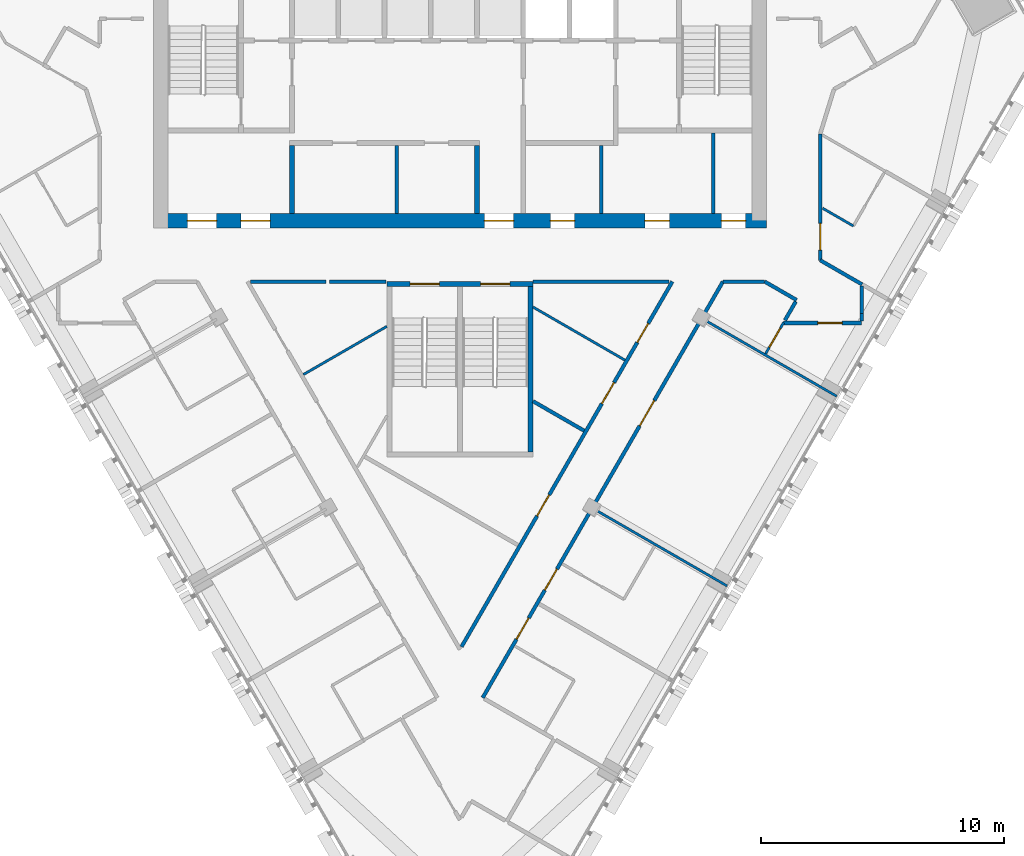
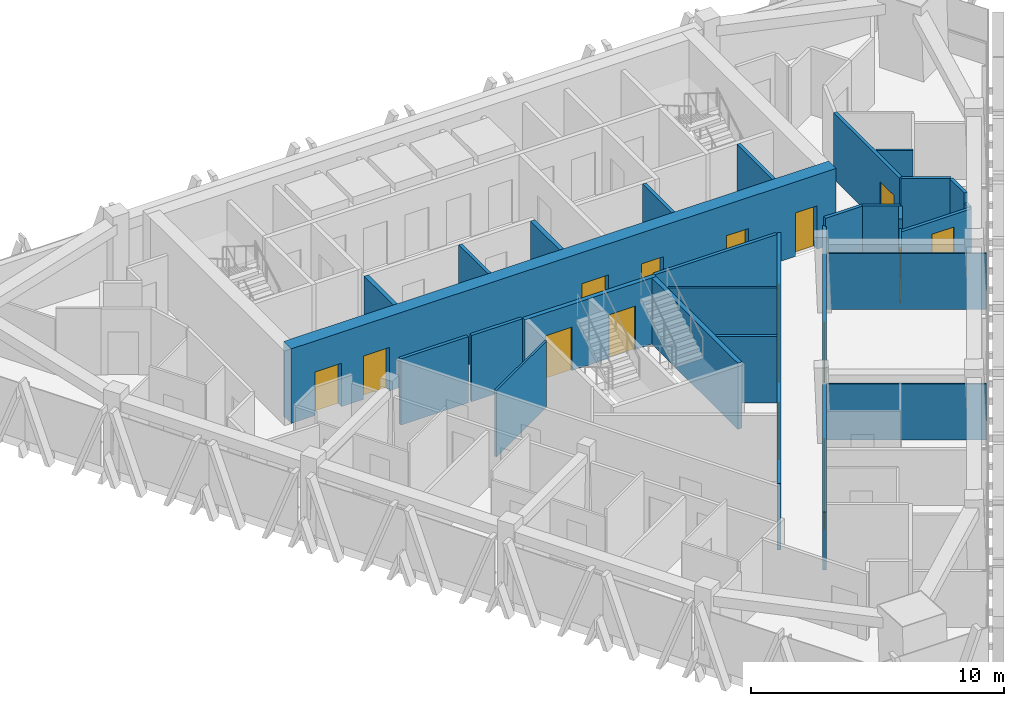
# One storey, part 9 of 15: 28 walls, 17 doors, 17 openings.
"""IFC4 building model written with IfcOpenShell, lengths in metres."""

import ifcopenshell
import ifcopenshell.guid

model = None  # the IFC model being written
_history = None  # IfcOwnerHistory: only IFC2X3 demands one
_inside = {}  # id of a spatial element -> (the spatial element, [elements in it])
_under = {}  # id of a project, library or spatial element -> (it, [spatial elements below it])
_declared = {}  # id of a project -> (the project, [libraries it declares])
_typed = {}  # id of a type object -> (the type object, [elements of that type])
_made_of = {}  # id of a material, layer set ... -> (it, [elements and type objects made of it])


def new_model(schema):
    """Start an empty IFC model of exactly this schema.

    Asked for "IFC4X3", IfcOpenShell would pick the latest addendum, in which some entities
    have other attributes; the version numbers below select the first issue.
    IFC2X3 requires an IfcOwnerHistory on every rooted entity: one is made here for all.
    """
    global model, _history
    if schema == "IFC4X3":
        model = ifcopenshell.file(schema_version=(4, 3, 0, 0))
    else:
        model = ifcopenshell.file(schema=schema)
    _inside.clear()
    _under.clear()
    _declared.clear()
    _typed.clear()
    _made_of.clear()
    _history = None
    if model.schema == "IFC2X3":
        org = make("IfcOrganization", Name="unknown")
        user = make(
            "IfcPersonAndOrganization",
            ThePerson=make("IfcPerson", FamilyName="unknown"),
            TheOrganization=org,
        )
        app = make(
            "IfcApplication",
            ApplicationDeveloper=org,
            Version="unknown",
            ApplicationFullName="unknown",
            ApplicationIdentifier="unknown",
        )
        _history = make(
            "IfcOwnerHistory",
            OwningUser=user,
            OwningApplication=app,
            ChangeAction="ADDED",
            CreationDate=0,
        )
    return model


def make(cls, **values):
    """One entity of the class cls with the attributes given. An attribute that is None is left unset."""
    return model.create_entity(
        cls, **{name: value for name, value in values.items() if value is not None}
    )


def rooted(cls, **values):
    """An entity with a GlobalId (a new one), such as an element, a storey or a relation."""
    return make(cls, GlobalId=ifcopenshell.guid.new(), OwnerHistory=_history, **values)


def si_unit(unit_type, name, prefix=None):
    """IfcSIUnit, for example si_unit("LENGTHUNIT", "METRE", prefix="MILLI")."""
    return make("IfcSIUnit", UnitType=unit_type, Prefix=prefix, Name=name)


def assignment(units):
    """IfcUnitAssignment: the units of a project."""
    return None if units is None else make("IfcUnitAssignment", Units=units)


def point(xyz):
    """IfcCartesianPoint."""
    return None if xyz is None else make("IfcCartesianPoint", Coordinates=xyz)


def direction(xyz):
    """IfcDirection."""
    return None if xyz is None else make("IfcDirection", DirectionRatios=xyz)


def frame(location, z_axis=None, x_axis=None):
    """IfcAxis2Placement3D, a coordinate frame: its origin and axes. An axis left out is left unset."""
    return make(
        "IfcAxis2Placement3D",
        Location=point(location),
        Axis=direction(z_axis),
        RefDirection=direction(x_axis),
    )


def frame_2d(location, x_axis=None):
    """IfcAxis2Placement2D, a coordinate frame in the plane: its origin and x axis."""
    return make(
        "IfcAxis2Placement2D", Location=point(location), RefDirection=direction(x_axis)
    )


def origin():
    """The frame at (0, 0, 0) with its axes left unset."""
    return frame((0.0, 0.0, 0.0))


def place(relative_to, where):
    """IfcLocalPlacement: puts the frame where relative to a parent placement (None: the world)."""
    return make(
        "IfcLocalPlacement", PlacementRelTo=relative_to, RelativePlacement=where
    )


def context(
    kind, dimensions, precision=None, world=None, true_north=None, identifier=None
):
    """IfcGeometricRepresentationContext, for example the 3D "Model" context."""
    return make(
        "IfcGeometricRepresentationContext",
        ContextIdentifier=identifier,
        ContextType=kind,
        CoordinateSpaceDimension=dimensions,
        Precision=precision,
        WorldCoordinateSystem=world,
        TrueNorth=true_north,
    )


def subcontext(parent, identifier, kind, view, scale=None):
    """IfcGeometricRepresentationSubContext, for example "Body" below "Model"."""
    return make(
        "IfcGeometricRepresentationSubContext",
        ContextIdentifier=identifier,
        ContextType=kind,
        ParentContext=parent,
        TargetScale=scale,
        TargetView=view,
    )


def project(units=None, contexts=None):
    """IfcProject with its units and contexts."""
    return rooted(
        "IfcProject",
        Name="project",
        RepresentationContexts=contexts,
        UnitsInContext=assignment(units),
    )


def spatial(cls, under=None, at=None, **own):
    """A site, building, storey or space (cls), placed at a placement, below another one or the project."""
    s = rooted(cls, ObjectPlacement=at, **own)
    if under is not None:
        _under.setdefault(under.id(), (under, []))[1].append(s)
    return s


def profile(cls, at=None, kind="AREA", **sizes):
    """A parametric profile (cls). Its sizes go by their IFC names, for example OverallWidth=200.0."""
    return make(cls, ProfileType=kind, Position=at, **sizes)


def rectangle(**sizes):
    """IfcRectangleProfileDef."""
    return profile("IfcRectangleProfileDef", **sizes)


def extrude(swept, where, along, depth):
    """IfcExtrudedAreaSolid: the profile swept, set in the frame where, extruded along a direction by depth."""
    return make(
        "IfcExtrudedAreaSolid",
        SweptArea=swept,
        Position=where,
        ExtrudedDirection=direction(along),
        Depth=depth,
    )


def shape(context_of_items, identifier, shape_type, items):
    """IfcShapeRepresentation: the items that make up one representation, for example the "Body"."""
    return make(
        "IfcShapeRepresentation",
        ContextOfItems=context_of_items,
        RepresentationIdentifier=identifier,
        RepresentationType=shape_type,
        Items=items,
    )


def material(Name=None, Category=None):
    """IfcMaterial."""
    return make("IfcMaterial", Name=Name, Category=Category)


def layer(
    of_material, thickness, ventilated=None, Name=None, Category=None, Priority=None
):
    """IfcMaterialLayer: one layer of a wall or slab, of a material (None: an air gap)."""
    return make(
        "IfcMaterialLayer",
        Material=of_material,
        LayerThickness=thickness,
        IsVentilated=ventilated,
        Name=Name,
        Category=Category,
        Priority=Priority,
    )


def layer_set(layers, Name=None):
    """IfcMaterialLayerSet."""
    return make("IfcMaterialLayerSet", MaterialLayers=layers, LayerSetName=Name)


def made_of(thing, what):
    """Note that an element or type object is made of a material, layer set ...; save() writes the relation."""
    if what is not None:
        _made_of.setdefault(what.id(), (what, []))[1].append(thing)
    return thing


def type_object(cls, material=None, **own):
    """A type object (cls), such as IfcWallType, which elements share."""
    return made_of(rooted(cls, **own), material)


def element(
    cls,
    number,
    at=None,
    inside=None,
    cuts=None,
    type_object=None,
    material=None,
    context=None,
    identifier="Body",
    shape_type=None,
    held_by="IfcProductDefinitionShape",
    body=None,
    shapes=None,
    **own,
):
    """One element of the class cls, such as IfcWall. Its Tag is "e" and its number.

    at: its placement. inside: the storey or other place that contains it. cuts: it is an
    opening in that element (IfcRelVoidsElement). A single representation is given by context,
    identifier, shape_type and body (its items); several are given by shapes. held_by: the class
    of the entity that holds the representations. save() writes the other relations.
    """
    e = rooted(cls, Tag="e%d" % number, ObjectPlacement=at, **own)
    if body is not None:
        shapes = [shape(context, identifier, shape_type, body)]
    if shapes is not None:
        e.Representation = make(held_by, Representations=shapes)
    if inside is not None:
        _inside.setdefault(inside.id(), (inside, []))[1].append(e)
    if cuts is not None:
        rooted(
            "IfcRelVoidsElement", RelatingBuildingElement=cuts, RelatedOpeningElement=e
        )
    if type_object is not None:
        _typed.setdefault(type_object.id(), (type_object, []))[1].append(e)
    return made_of(e, material)


def fill(opening, filler):
    """IfcRelFillsElement: the door or window that sits in an opening."""
    return rooted(
        "IfcRelFillsElement",
        RelatingOpeningElement=opening,
        RelatedBuildingElement=filler,
    )


def aggregate(whole, parts):
    """IfcRelAggregates: a whole, such as a stair, and the parts it consists of."""
    return rooted("IfcRelAggregates", RelatingObject=whole, RelatedObjects=parts)


def save(model, path):
    """Write the relations noted so far, then the file.

    IfcRelAggregates (storeys below a building ...), IfcRelContainedInSpatialStructure (elements
    in a storey), IfcRelDefinesByType, IfcRelAssociatesMaterial and IfcRelDeclares: one each for
    every whole, place, type object, material and project.
    """
    for whole, parts in _under.values():
        aggregate(whole, parts)
    for where, things in _inside.values():
        rooted(
            "IfcRelContainedInSpatialStructure",
            RelatedElements=things,
            RelatingStructure=where,
        )
    for kind, things in _typed.values():
        rooted("IfcRelDefinesByType", RelatedObjects=things, RelatingType=kind)
    for what, things in _made_of.values():
        rooted("IfcRelAssociatesMaterial", RelatedObjects=things, RelatingMaterial=what)
    for by, libraries in _declared.values():
        rooted("IfcRelDeclares", RelatingContext=by, RelatedDefinitions=libraries)
    model.write(path)


model = new_model("IFC4")

# Units and contexts
model_context = context("Model", 3, precision=1e-05, world=origin(), true_north=direction((0.0, 1.0)))
body_context = subcontext(model_context, "Body", "Model", "MODEL_VIEW")
ifc_project = project(units=[si_unit("LENGTHUNIT", "METRE"), si_unit("AREAUNIT", "SQUARE_METRE"), si_unit("VOLUMEUNIT", "CUBIC_METRE"), si_unit("PLANEANGLEUNIT", "RADIAN"), si_unit("MASSUNIT", "GRAM", prefix="KILO")], contexts=[model_context])

# Site, building, storey
site_placement = place(None, origin())
site = spatial("IfcSite", under=ifc_project, at=site_placement, CompositionType="ELEMENT")
building_placement = place(site_placement, origin())
building = spatial("IfcBuilding", under=site, at=building_placement, Name="Altiplano Prism Tower", CompositionType="ELEMENT")
storey_placement = place(building_placement, frame((0.0, 0.0, 246.39990234375)))
storey = spatial("IfcBuildingStorey", under=building, at=storey_placement, Name="L63", CompositionType="ELEMENT", Elevation=246.39990234375)

# Wall, openings, doors
ifc_material_1 = material(Name="Concrete C60/75", Category="concrete")
ifc_layer_1 = layer(ifc_material_1, 0.60009765625)
ifc_layer_set_1 = layer_set([ifc_layer_1], Name="Concrete C60/75")
wall_type_1 = type_object("IfcWallType", Name="Core wall 600", PredefinedType="SHEAR", material=ifc_layer_set_1)
wall_1_placement = place(storey_placement, frame((72.699951171875, 93.10009765625, 0.0), z_axis=(0.0, 0.0, 1.0), x_axis=(1.0, 0.0, 0.0)))
wall_1 = element("IfcWall", 1, at=wall_1_placement, inside=storey, type_object=wall_type_1, Name="Core wall S L63", PredefinedType="SHEAR", context=body_context, shape_type="SweptSolid", body=[
    extrude(rectangle(XDim=24.900146484375, YDim=0.60009765625, at=frame_2d((12.4501953125, 0.0))), origin(), (0.0, 0.0, 1.0), 3.60009765625),
])
opening_1_placement = place(wall_1_placement, frame((1.10009765625, 0.0, 0.0)))
opening_1 = element("IfcOpeningElement", 2, at=opening_1_placement, cuts=wall_1, Name="Opening D3462", PredefinedType="OPENING", context=body_context, shape_type="SweptSolid", body=[
    extrude(rectangle(XDim=1.199951171875, YDim=2.10009765625, at=frame_2d((0.60009765625, 1.050048828125))), frame((0.0, 0.310546875, 0.0), z_axis=(0.0, -1.0, 0.0), x_axis=(1.0, 0.0, 0.0)), (0.0, 0.0, 1.0), 0.62109375),
])
opening_2_placement = place(wall_1_placement, frame((3.300048828125, 0.0, 0.0)))
opening_2 = element("IfcOpeningElement", 3, at=opening_2_placement, cuts=wall_1, Name="Opening D3463", PredefinedType="OPENING", context=body_context, shape_type="SweptSolid", body=[
    extrude(rectangle(XDim=1.199951171875, YDim=2.10009765625, at=frame_2d((0.60009765625, 1.050048828125))), frame((0.0, 0.310546875, 0.0), z_axis=(0.0, -1.0, 0.0), x_axis=(1.0, 0.0, 0.0)), (0.0, 0.0, 1.0), 0.62109375),
])
opening_3_placement = place(wall_1_placement, frame((13.300048828125, 0.0, 0.0)))
opening_3 = element("IfcOpeningElement", 4, at=opening_3_placement, cuts=wall_1, Name="Opening D3464", PredefinedType="OPENING", context=body_context, shape_type="SweptSolid", body=[
    extrude(rectangle(XDim=1.199951171875, YDim=2.10009765625, at=frame_2d((0.60009765625, 1.050048828125))), frame((0.0, 0.310546875, 0.0), z_axis=(0.0, -1.0, 0.0), x_axis=(1.0, 0.0, 0.0)), (0.0, 0.0, 1.0), 0.62109375),
])
opening_4_placement = place(wall_1_placement, frame((16.012451171875, 0.0, 0.0)))
opening_4 = element("IfcOpeningElement", 5, at=opening_4_placement, cuts=wall_1, Name="Opening D3467", PredefinedType="OPENING", context=body_context, shape_type="SweptSolid", body=[
    extrude(rectangle(XDim=1.0, YDim=2.10009765625, at=frame_2d((0.5, 1.050048828125))), frame((0.0, 0.310546875, 0.0), z_axis=(0.0, -1.0, 0.0), x_axis=(1.0, 0.0, 0.0)), (0.0, 0.0, 1.0), 0.62109375),
])
opening_5_placement = place(wall_1_placement, frame((19.89990234375, 0.0, 0.0)))
opening_5 = element("IfcOpeningElement", 6, at=opening_5_placement, cuts=wall_1, Name="Opening D3468", PredefinedType="OPENING", context=body_context, shape_type="SweptSolid", body=[
    extrude(rectangle(XDim=1.0, YDim=2.10009765625, at=frame_2d((0.5, 1.050048828125))), frame((0.0, 0.310546875, 0.0), z_axis=(0.0, -1.0, 0.0), x_axis=(1.0, 0.0, 0.0)), (0.0, 0.0, 1.0), 0.62109375),
])
opening_6_placement = place(wall_1_placement, frame((23.03759765625, 0.0, 0.0)))
opening_6 = element("IfcOpeningElement", 7, at=opening_6_placement, cuts=wall_1, Name="Opening D3469", PredefinedType="OPENING", context=body_context, shape_type="SweptSolid", body=[
    extrude(rectangle(XDim=1.0, YDim=2.10009765625, at=frame_2d((0.5, 1.050048828125))), frame((0.0, 0.310546875, 0.0), z_axis=(0.0, -1.0, 0.0), x_axis=(1.0, 0.0, 0.0)), (0.0, 0.0, 1.0), 0.62109375),
])
ifc_material_2 = material(Name="Fire-rated steel door", Category="steel")
door_type_1 = type_object("IfcDoorType", Name="Core room door 1000 x 2100", OperationType="NOTDEFINED", PredefinedType="NOTDEFINED", material=ifc_material_2)
door_1_placement = place(opening_4_placement, origin())
door_1 = element("IfcDoor", 8, at=door_1_placement, inside=storey, type_object=door_type_1, Name="Core room door D3467", OperationType="SINGLE_SWING_RIGHT", OverallHeight=2.10009765625, OverallWidth=1.0, PredefinedType="NOTDEFINED", context=body_context, shape_type="SweptSolid", body=[
    extrude(rectangle(XDim=1.0, YDim=2.10009765625, at=frame_2d((0.5, 1.050048828125))), frame((0.0, 0.02490234375, 0.0), z_axis=(0.0, -1.0, 0.0), x_axis=(1.0, 0.0, 0.0)), (0.0, 0.0, 1.0), 0.050048828125),
])
fill(opening_4, door_1)
door_2_placement = place(opening_5_placement, origin())
door_2 = element("IfcDoor", 9, at=door_2_placement, inside=storey, type_object=door_type_1, Name="Core room door D3468", OperationType="SINGLE_SWING_LEFT", OverallHeight=2.10009765625, OverallWidth=1.0, PredefinedType="NOTDEFINED", context=body_context, shape_type="SweptSolid", body=[
    extrude(rectangle(XDim=1.0, YDim=2.10009765625, at=frame_2d((0.5, 1.050048828125))), frame((0.0, 0.02490234375, 0.0), z_axis=(0.0, -1.0, 0.0), x_axis=(1.0, 0.0, 0.0)), (0.0, 0.0, 1.0), 0.050048828125),
])
fill(opening_5, door_2)
door_3_placement = place(opening_6_placement, origin())
door_3 = element("IfcDoor", 10, at=door_3_placement, inside=storey, type_object=door_type_1, Name="Core room door D3469", OperationType="SINGLE_SWING_RIGHT", OverallHeight=2.10009765625, OverallWidth=1.0, PredefinedType="NOTDEFINED", context=body_context, shape_type="SweptSolid", body=[
    extrude(rectangle(XDim=1.0, YDim=2.10009765625, at=frame_2d((0.5, 1.050048828125))), frame((0.0, 0.02490234375, 0.0), z_axis=(0.0, -1.0, 0.0), x_axis=(1.0, 0.0, 0.0)), (0.0, 0.0, 1.0), 0.050048828125),
])
fill(opening_6, door_3)
door_type_2 = type_object("IfcDoorType", Name="Lobby fire door 1200 x 2100", OperationType="NOTDEFINED", PredefinedType="NOTDEFINED", material=ifc_material_2)
door_4_placement = place(opening_1_placement, origin())
door_4 = element("IfcDoor", 11, at=door_4_placement, inside=storey, type_object=door_type_2, Name="Lobby fire door D3462", OperationType="SINGLE_SWING_RIGHT", OverallHeight=2.10009765625, OverallWidth=1.199951171875, PredefinedType="NOTDEFINED", context=body_context, shape_type="SweptSolid", body=[
    extrude(rectangle(XDim=1.199951171875, YDim=2.10009765625, at=frame_2d((0.60009765625, 1.050048828125))), frame((0.0, 0.02490234375, 0.0), z_axis=(0.0, -1.0, 0.0), x_axis=(1.0, 0.0, 0.0)), (0.0, 0.0, 1.0), 0.050048828125),
])
fill(opening_1, door_4)
door_5_placement = place(opening_2_placement, origin())
door_5 = element("IfcDoor", 12, at=door_5_placement, inside=storey, type_object=door_type_2, Name="Lobby fire door D3463", OperationType="SINGLE_SWING_LEFT", OverallHeight=2.10009765625, OverallWidth=1.199951171875, PredefinedType="NOTDEFINED", context=body_context, shape_type="SweptSolid", body=[
    extrude(rectangle(XDim=1.199951171875, YDim=2.10009765625, at=frame_2d((0.60009765625, 1.050048828125))), frame((0.0, 0.02490234375, 0.0), z_axis=(0.0, -1.0, 0.0), x_axis=(1.0, 0.0, 0.0)), (0.0, 0.0, 1.0), 0.050048828125),
])
fill(opening_2, door_5)
door_6_placement = place(opening_3_placement, origin())
door_6 = element("IfcDoor", 13, at=door_6_placement, inside=storey, type_object=door_type_2, Name="Lobby fire door D3464", OperationType="SINGLE_SWING_RIGHT", OverallHeight=2.10009765625, OverallWidth=1.199951171875, PredefinedType="NOTDEFINED", context=body_context, shape_type="SweptSolid", body=[
    extrude(rectangle(XDim=1.199951171875, YDim=2.10009765625, at=frame_2d((0.60009765625, 1.050048828125))), frame((0.0, 0.02490234375, 0.0), z_axis=(0.0, -1.0, 0.0), x_axis=(1.0, 0.0, 0.0)), (0.0, 0.0, 1.0), 0.050048828125),
])
fill(opening_3, door_6)

# Wall, opening, door
ifc_material_3 = material(Name="Plasterboard on steel stud", Category="steel")
ifc_layer_2 = layer(ifc_material_3, 0.10009765625)
ifc_layer_set_2 = layer_set([ifc_layer_2], Name="Plasterboard on steel stud")
wall_type_2 = type_object("IfcWallType", Name="Partition 100 unit", PredefinedType="PARTITIONING", material=ifc_layer_set_2)
wall_2_placement = place(storey_placement, frame((98.298095703125, 88.919921875, 0.0), z_axis=(0.0, 0.0, 1.0), x_axis=(-0.500135155212, -0.865947357824, 0.0)))
wall_2 = element("IfcWall", 14, at=wall_2_placement, inside=storey, type_object=wall_type_2, Name="Partition P02 L63 076", PredefinedType="PARTITIONING", context=body_context, shape_type="SweptSolid", body=[
    extrude(rectangle(XDim=1.48486328125, YDim=0.10009765625, at=frame_2d((0.742431640625, 0.0))), origin(), (0.0, 0.0, 1.0), 2.800048828125),
])
opening_7_placement = place(wall_2_placement, frame((0.27490234375, 0.0, 0.0)))
opening_7 = element("IfcOpeningElement", 15, at=opening_7_placement, cuts=wall_2, Name="Opening D2072", PredefinedType="OPENING", context=body_context, shape_type="SweptSolid", body=[
    extrude(rectangle(XDim=0.89990234375, YDim=2.10009765625, at=frame_2d((0.449951171875, 1.050048828125))), frame((0.0, 0.060546875, 0.0), z_axis=(0.0, -1.0, 0.0), x_axis=(1.0, 0.0, 0.0)), (0.0, 0.0, 1.0), 0.12109375),
])
ifc_material_4 = material(Name="Timber", Category="wood")
door_type_3 = type_object("IfcDoorType", Name="Ensuite door 900 x 2100", OperationType="NOTDEFINED", PredefinedType="NOTDEFINED", material=ifc_material_4)
door_7_placement = place(opening_7_placement, origin())
door_7 = element("IfcDoor", 16, at=door_7_placement, inside=storey, type_object=door_type_3, Name="Door D2072", OperationType="SINGLE_SWING_LEFT", OverallHeight=2.10009765625, OverallWidth=0.89990234375, PredefinedType="NOTDEFINED", context=body_context, shape_type="SweptSolid", body=[
    extrude(rectangle(XDim=0.89990234375, YDim=2.10009765625, at=frame_2d((0.449951171875, 1.050048828125))), frame((0.0, 0.02490234375, 0.0), z_axis=(0.0, -1.0, 0.0), x_axis=(1.0, 0.0, 0.0)), (0.0, 0.0, 1.0), 0.050048828125),
])
fill(opening_7, door_7)

# Walls
wall_3_placement = place(storey_placement, frame((101.16357421875, 92.88330078125, 0.0), z_axis=(0.0, 0.0, 1.0), x_axis=(-0.866051847062, 0.499954196102, 0.0)))
element("IfcWall", 17, at=wall_3_placement, inside=storey, type_object=wall_type_2, Name="Partition P02 L63 079", PredefinedType="PARTITIONING", context=body_context, shape_type="SweptSolid", body=[
    extrude(rectangle(XDim=1.459228515625, YDim=0.10009765625, at=frame_2d((0.7294921875, 0.0))), origin(), (0.0, 0.0, 1.0), 3.2001953125),
])
ifc_layer_3 = layer(ifc_material_3, 0.10009765625)
ifc_layer_set_3 = layer_set([ifc_layer_3], Name="Plasterboard on steel stud")
wall_type_3 = type_object("IfcWallType", Name="Partition 100 wet", PredefinedType="PARTITIONING", material=ifc_layer_set_3)
wall_4_placement = place(storey_placement, frame((82.0, 88.7626953125, 0.0), z_axis=(0.0, 0.0, 1.0), x_axis=(-0.866021515814, -0.500006734102, 0.0)))
element("IfcWall", 18, at=wall_4_placement, inside=storey, type_object=wall_type_3, Name="Partition P03 L63 042", PredefinedType="PARTITIONING", context=body_context, shape_type="SweptSolid", body=[
    extrude(rectangle(XDim=3.96484375, YDim=0.10009765625, at=frame_2d((1.982421875, 0.0))), origin(), (0.0, 0.0, 1.0), 3.2001953125),
])
wall_5_placement = place(storey_placement, frame((88.0, 89.553955078125, 0.0), z_axis=(0.0, 0.0, 1.0), x_axis=(0.866022412254, -0.500005181446, 0.0)))
element("IfcWall", 19, at=wall_5_placement, inside=storey, type_object=wall_type_3, Name="Partition P03 L63 044", PredefinedType="PARTITIONING", context=body_context, shape_type="SweptSolid", body=[
    extrude(rectangle(XDim=4.3603515625, YDim=0.10009765625, at=frame_2d((2.18017578125, 0.0))), origin(), (0.0, 0.0, 1.0), 3.2001953125),
])
for number, where, z_axis, x_axis, name in (
    (20, (95.97509765625, 78.096435546875, 0.0), (0.0, 0.0, 1.0), (-0.866025537322, 0.499999768706, 0.0), "Partition P03 L63 074"),
    (21, (100.47509765625, 85.890625, 0.0), (0.0, 0.0, 1.0), (-0.866025537322, 0.499999768706, 0.0), "Partition P03 L63 075"),
):
    element("IfcWall", number, at=place(storey_placement, frame(where, z_axis=z_axis, x_axis=x_axis)), inside=storey, type_object=wall_type_3, Name=name, PredefinedType="PARTITIONING", context=body_context, shape_type="SweptSolid", body=[
        extrude(rectangle(XDim=6.3251953125, YDim=0.10009765625, at=frame_2d((3.16259765625, 0.0))), origin(), (0.0, 0.0, 1.0), 2.7001953125),
    ])
ifc_layer_4 = layer(ifc_material_3, 0.14990234375)
ifc_layer_set_4 = layer_set([ifc_layer_4], Name="Plasterboard on steel stud")
wall_type_4 = type_object("IfcWallType", Name="Partition 150 corridor", PredefinedType="PARTITIONING", material=ifc_layer_set_4)
wall_6_placement = place(storey_placement, frame((88.0, 90.59912109375, 0.0), z_axis=(0.0, 0.0, 1.0), x_axis=(0.99999998477, 0.000174527682, 0.0)))
element("IfcWall", 22, at=wall_6_placement, inside=storey, type_object=wall_type_4, Name="Partition P06 L63 001", PredefinedType="PARTITIONING", context=body_context, shape_type="SweptSolid", body=[
    extrude(rectangle(XDim=5.595458984375, YDim=0.14990234375, at=frame_2d((2.7978515625, 0.0))), origin(), (0.0, 0.0, 1.0), 3.2001953125),
])

# Wall, openings, doors
wall_7_placement = place(storey_placement, frame((93.725341796875, 90.60009765625, 0.0), z_axis=(0.0, 0.0, 1.0), x_axis=(-0.500000233742, -0.866025268833, 0.0)))
wall_7 = element("IfcWall", 23, at=wall_7_placement, inside=storey, type_object=wall_type_4, Name="Partition P06 L63 002", PredefinedType="PARTITIONING", context=body_context, shape_type="SweptSolid", body=[
    extrude(rectangle(XDim=17.32080078125, YDim=0.14990234375, at=frame_2d((8.660400390625, 0.0))), origin(), (0.0, 0.0, 1.0), 3.2001953125),
])
opening_8_placement = place(wall_7_placement, frame((1.98291015625, 0.0, 0.0)))
opening_8 = element("IfcOpeningElement", 24, at=opening_8_placement, cuts=wall_7, Name="Opening D2048", PredefinedType="OPENING", context=body_context, shape_type="SweptSolid", body=[
    extrude(rectangle(XDim=0.89990234375, YDim=2.10009765625, at=frame_2d((0.449951171875, 1.050048828125))), frame((0.0, 0.08544921875, 0.0), z_axis=(0.0, -1.0, 0.0), x_axis=(1.0, 0.0, 0.0)), (0.0, 0.0, 1.0), 0.1708984375),
])
opening_9_placement = place(wall_7_placement, frame((4.7880859375, 0.0, 0.0)))
opening_9 = element("IfcOpeningElement", 25, at=opening_9_placement, cuts=wall_7, Name="Opening D2049", PredefinedType="OPENING", context=body_context, shape_type="SweptSolid", body=[
    extrude(rectangle(XDim=1.0, YDim=2.10009765625, at=frame_2d((0.5, 1.050048828125))), frame((0.0, 0.08544921875, 0.0), z_axis=(0.0, -1.0, 0.0), x_axis=(1.0, 0.0, 0.0)), (0.0, 0.0, 1.0), 0.1708984375),
])
opening_10_placement = place(wall_7_placement, frame((10.115966796875, 0.0, 0.0)))
opening_10 = element("IfcOpeningElement", 26, at=opening_10_placement, cuts=wall_7, Name="Opening D2079", PredefinedType="OPENING", context=body_context, shape_type="SweptSolid", body=[
    extrude(rectangle(XDim=1.0, YDim=2.10009765625, at=frame_2d((0.5, 1.050048828125))), frame((0.0, 0.08544921875, 0.0), z_axis=(0.0, -1.0, 0.0), x_axis=(1.0, 0.0, 0.0)), (0.0, 0.0, 1.0), 0.1708984375),
])
door_type_4 = type_object("IfcDoorType", Name="Room door 1000 x 2100", OperationType="NOTDEFINED", PredefinedType="NOTDEFINED", material=ifc_material_4)
door_8_placement = place(opening_10_placement, origin())
door_8 = element("IfcDoor", 27, at=door_8_placement, inside=storey, type_object=door_type_4, Name="Door D2079", OperationType="SINGLE_SWING_RIGHT", OverallHeight=2.10009765625, OverallWidth=1.0, PredefinedType="NOTDEFINED", context=body_context, shape_type="SweptSolid", body=[
    extrude(rectangle(XDim=1.0, YDim=2.10009765625, at=frame_2d((0.5, 1.050048828125))), frame((0.0, 0.02490234375, 0.0), z_axis=(0.0, -1.0, 0.0), x_axis=(1.0, 0.0, 0.0)), (0.0, 0.0, 1.0), 0.050048828125),
])
fill(opening_10, door_8)
door_type_5 = type_object("IfcDoorType", Name="Store door 1000 x 2100", OperationType="NOTDEFINED", PredefinedType="NOTDEFINED", material=ifc_material_4)
door_9_placement = place(opening_9_placement, origin())
door_9 = element("IfcDoor", 28, at=door_9_placement, inside=storey, type_object=door_type_5, Name="Door D2049", OperationType="SINGLE_SWING_LEFT", OverallHeight=2.10009765625, OverallWidth=1.0, PredefinedType="NOTDEFINED", context=body_context, shape_type="SweptSolid", body=[
    extrude(rectangle(XDim=1.0, YDim=2.10009765625, at=frame_2d((0.5, 1.050048828125))), frame((0.0, 0.02490234375, 0.0), z_axis=(0.0, -1.0, 0.0), x_axis=(1.0, 0.0, 0.0)), (0.0, 0.0, 1.0), 0.050048828125),
])
fill(opening_9, door_9)
door_type_6 = type_object("IfcDoorType", Name="Toilet door 900 x 2100", OperationType="NOTDEFINED", PredefinedType="NOTDEFINED", material=ifc_material_4)
door_10_placement = place(opening_8_placement, origin())
door_10 = element("IfcDoor", 29, at=door_10_placement, inside=storey, type_object=door_type_6, Name="Door D2048", OperationType="SINGLE_SWING_RIGHT", OverallHeight=2.10009765625, OverallWidth=0.89990234375, PredefinedType="NOTDEFINED", context=body_context, shape_type="SweptSolid", body=[
    extrude(rectangle(XDim=0.89990234375, YDim=2.10009765625, at=frame_2d((0.449951171875, 1.050048828125))), frame((0.0, 0.02490234375, 0.0), z_axis=(0.0, -1.0, 0.0), x_axis=(1.0, 0.0, 0.0)), (0.0, 0.0, 1.0), 0.050048828125),
])
fill(opening_8, door_10)

# Walls
wall_8_placement = place(storey_placement, frame((76.404541015625, 90.599853515625, 0.0), z_axis=(0.0, 0.0, 1.0), x_axis=(0.999999971839, -0.00023732299, 0.0)))
element("IfcWall", 30, at=wall_8_placement, inside=storey, type_object=wall_type_4, Name="Partition P06 L63 004", PredefinedType="PARTITIONING", context=body_context, shape_type="SweptSolid", body=[
    extrude(rectangle(XDim=3.086181640625, YDim=0.14990234375, at=frame_2d((1.54296875, 0.0))), origin(), (0.0, 0.0, 1.0), 3.2001953125),
])
wall_9_placement = place(storey_placement, frame((79.6396484375, 90.596435546875, 0.0), z_axis=(0.0, 0.0, 1.0), x_axis=(0.999999977858, 0.000210437706, 0.0)))
element("IfcWall", 31, at=wall_9_placement, inside=storey, type_object=wall_type_4, Name="Partition P06 L63 005", PredefinedType="PARTITIONING", context=body_context, shape_type="SweptSolid", body=[
    extrude(rectangle(XDim=2.3203125, YDim=0.14990234375, at=frame_2d((1.16015625, 0.0))), origin(), (0.0, 0.0, 1.0), 3.2001953125),
])

# Wall, openings, doors
wall_10_placement = place(storey_placement, frame((85.932373046875, 73.502197265625, 0.0), z_axis=(0.0, 0.0, 1.0), x_axis=(0.499994700519, 0.86602846342, 0.0)))
wall_10 = element("IfcWall", 32, at=wall_10_placement, inside=storey, type_object=wall_type_4, Name="Partition P06 L63 022", PredefinedType="PARTITIONING", context=body_context, shape_type="SweptSolid", body=[
    extrude(rectangle(XDim=19.742919921875, YDim=0.14990234375, at=frame_2d((9.87158203125, 0.0))), origin(), (0.0, 0.0, 1.0), 2.800048828125),
])
opening_11_placement = place(wall_10_placement, frame((2.780029296875, 0.0, 0.0)))
opening_11 = element("IfcOpeningElement", 33, at=opening_11_placement, cuts=wall_10, Name="Opening D2066", PredefinedType="OPENING", context=body_context, shape_type="SweptSolid", body=[
    extrude(rectangle(XDim=1.0, YDim=2.10009765625, at=frame_2d((0.5, 1.050048828125))), frame((0.0, 0.08544921875, 0.0), z_axis=(0.0, -1.0, 0.0), x_axis=(1.0, 0.0, 0.0)), (0.0, 0.0, 1.0), 0.1708984375),
])
opening_12_placement = place(wall_10_placement, frame((5.10498046875, 0.0, 0.0)))
opening_12 = element("IfcOpeningElement", 34, at=opening_12_placement, cuts=wall_10, Name="Opening D2068", PredefinedType="OPENING", context=body_context, shape_type="SweptSolid", body=[
    extrude(rectangle(XDim=1.0, YDim=2.10009765625, at=frame_2d((0.5, 1.050048828125))), frame((0.0, 0.08544921875, 0.0), z_axis=(0.0, -1.0, 0.0), x_axis=(1.0, 0.0, 0.0)), (0.0, 0.0, 1.0), 0.1708984375),
])
opening_13_placement = place(wall_10_placement, frame((12.89990234375, 0.0, 0.0)))
opening_13 = element("IfcOpeningElement", 35, at=opening_13_placement, cuts=wall_10, Name="Opening D2070", PredefinedType="OPENING", context=body_context, shape_type="SweptSolid", body=[
    extrude(rectangle(XDim=1.199951171875, YDim=2.10009765625, at=frame_2d((0.60009765625, 1.050048828125))), frame((0.0, 0.08544921875, 0.0), z_axis=(0.0, -1.0, 0.0), x_axis=(1.0, 0.0, 0.0)), (0.0, 0.0, 1.0), 0.1708984375),
])
door_type_7 = type_object("IfcDoorType", Name="Bedroom entrance door 1000 x 2100", OperationType="NOTDEFINED", PredefinedType="NOTDEFINED", material=ifc_material_4)
door_11_placement = place(opening_11_placement, origin())
door_11 = element("IfcDoor", 36, at=door_11_placement, inside=storey, type_object=door_type_7, Name="Door D2066", OperationType="SINGLE_SWING_RIGHT", OverallHeight=2.10009765625, OverallWidth=1.0, PredefinedType="NOTDEFINED", context=body_context, shape_type="SweptSolid", body=[
    extrude(rectangle(XDim=1.0, YDim=2.10009765625, at=frame_2d((0.5, 1.050048828125))), frame((0.0, 0.02490234375, 0.0), z_axis=(0.0, -1.0, 0.0), x_axis=(1.0, 0.0, 0.0)), (0.0, 0.0, 1.0), 0.050048828125),
])
fill(opening_11, door_11)
door_12_placement = place(opening_12_placement, origin())
door_12 = element("IfcDoor", 37, at=door_12_placement, inside=storey, type_object=door_type_7, Name="Door D2068", OperationType="SINGLE_SWING_RIGHT", OverallHeight=2.10009765625, OverallWidth=1.0, PredefinedType="NOTDEFINED", context=body_context, shape_type="SweptSolid", body=[
    extrude(rectangle(XDim=1.0, YDim=2.10009765625, at=frame_2d((0.5, 1.050048828125))), frame((0.0, 0.02490234375, 0.0), z_axis=(0.0, -1.0, 0.0), x_axis=(1.0, 0.0, 0.0)), (0.0, 0.0, 1.0), 0.050048828125),
])
fill(opening_12, door_12)
door_type_8 = type_object("IfcDoorType", Name="Shared room door 1200 x 2100", OperationType="NOTDEFINED", PredefinedType="NOTDEFINED", material=ifc_material_4)
door_13_placement = place(opening_13_placement, origin())
door_13 = element("IfcDoor", 38, at=door_13_placement, inside=storey, type_object=door_type_8, Name="Door D2070", OperationType="SINGLE_SWING_RIGHT", OverallHeight=2.10009765625, OverallWidth=1.199951171875, PredefinedType="NOTDEFINED", context=body_context, shape_type="SweptSolid", body=[
    extrude(rectangle(XDim=1.199951171875, YDim=2.10009765625, at=frame_2d((0.60009765625, 1.050048828125))), frame((0.0, 0.02490234375, 0.0), z_axis=(0.0, -1.0, 0.0), x_axis=(1.0, 0.0, 0.0)), (0.0, 0.0, 1.0), 0.050048828125),
])
fill(opening_13, door_13)

# Wall, opening, door
wall_11_placement = place(storey_placement, frame((98.286376953125, 88.89990234375, 0.0), z_axis=(0.0, 0.0, 1.0), x_axis=(1.0, 0.0, 0.0)))
wall_11 = element("IfcWall", 39, at=wall_11_placement, inside=storey, type_object=wall_type_4, Name="Partition P06 L63 024", PredefinedType="PARTITIONING", context=body_context, shape_type="SweptSolid", body=[
    extrude(rectangle(XDim=3.213623046875, YDim=0.14990234375, at=frame_2d((1.60693359375, 0.0))), origin(), (0.0, 0.0, 1.0), 2.7001953125),
])
opening_14_placement = place(wall_11_placement, frame((1.412109375, 0.0, 0.0)))
opening_14 = element("IfcOpeningElement", 40, at=opening_14_placement, cuts=wall_11, Name="Opening D2071", PredefinedType="OPENING", context=body_context, shape_type="SweptSolid", body=[
    extrude(rectangle(XDim=1.0, YDim=2.10009765625, at=frame_2d((0.5, 1.050048828125))), frame((0.0, 0.08544921875, 0.0), z_axis=(0.0, -1.0, 0.0), x_axis=(1.0, 0.0, 0.0)), (0.0, 0.0, 1.0), 0.1708984375),
])
door_14_placement = place(opening_14_placement, origin())
door_14 = element("IfcDoor", 41, at=door_14_placement, inside=storey, type_object=door_type_7, Name="Door D2071", OperationType="SINGLE_SWING_RIGHT", OverallHeight=2.10009765625, OverallWidth=1.0, PredefinedType="NOTDEFINED", context=body_context, shape_type="SweptSolid", body=[
    extrude(rectangle(XDim=1.0, YDim=2.10009765625, at=frame_2d((0.5, 1.050048828125))), frame((0.0, 0.02490234375, 0.0), z_axis=(0.0, -1.0, 0.0), x_axis=(1.0, 0.0, 0.0)), (0.0, 0.0, 1.0), 0.050048828125),
])
fill(opening_14, door_14)

# Walls
wall_12_placement = place(storey_placement, frame((101.5, 88.97509765625, 0.0), z_axis=(0.0, 0.0, 1.0), x_axis=(0.0, 1.0, 0.0)))
element("IfcWall", 42, at=wall_12_placement, inside=storey, type_object=wall_type_4, Name="Partition P06 L63 025", PredefinedType="PARTITIONING", context=body_context, shape_type="SweptSolid", body=[
    extrude(rectangle(XDim=0.30810546875, YDim=0.14990234375, at=frame_2d((0.154052734375, 0.0))), origin(), (0.0, 0.0, 1.0), 2.7001953125),
])
wall_13_placement = place(storey_placement, frame((101.5, 89.283203125, 0.0), z_axis=(0.0, 0.0, 1.0), x_axis=(0.0, 1.0, 0.0)))
element("IfcWall", 43, at=wall_13_placement, inside=storey, type_object=wall_type_4, Name="Partition P06 L63 026", PredefinedType="PARTITIONING", context=body_context, shape_type="SweptSolid", body=[
    extrude(rectangle(XDim=1.135498046875, YDim=0.14990234375, at=frame_2d((0.56787109375, 0.0))), origin(), (0.0, 0.0, 1.0), 3.2001953125),
])
wall_14_placement = place(storey_placement, frame((95.8037109375, 90.60009765625, 0.0), z_axis=(0.0, 0.0, 1.0), x_axis=(1.0, 0.0, 0.0)))
element("IfcWall", 44, at=wall_14_placement, inside=storey, type_object=wall_type_4, Name="Partition P06 L63 027", PredefinedType="PARTITIONING", context=body_context, shape_type="SweptSolid", body=[
    extrude(rectangle(XDim=1.714599609375, YDim=0.14990234375, at=frame_2d((0.857421875, 0.0))), origin(), (0.0, 0.0, 1.0), 3.2001953125),
])
wall_15_placement = place(storey_placement, frame((97.518310546875, 90.60009765625, 0.0), z_axis=(0.0, 0.0, 1.0), x_axis=(0.865973613648, -0.500089692421, 0.0)))
element("IfcWall", 45, at=wall_15_placement, inside=storey, type_object=wall_type_4, Name="Partition P06 L63 028", PredefinedType="PARTITIONING", context=body_context, shape_type="SweptSolid", body=[
    extrude(rectangle(XDim=1.515380859375, YDim=0.14990234375, at=frame_2d((0.7578125, 0.0))), origin(), (0.0, 0.0, 1.0), 3.2001953125),
])
wall_16_placement = place(storey_placement, frame((98.79296875, 89.77734375, 0.0), z_axis=(0.0, 0.0, 1.0), x_axis=(-0.500033502416, -0.866006060292, 0.0)))
element("IfcWall", 46, at=wall_16_placement, inside=storey, type_object=wall_type_4, Name="Partition P06 L63 029", PredefinedType="PARTITIONING", context=body_context, shape_type="SweptSolid", body=[
    extrude(rectangle(XDim=0.88330078125, YDim=0.14990234375, at=frame_2d((0.441650390625, 0.0))), origin(), (0.0, 0.0, 1.0), 3.2001953125),
])
wall_17_placement = place(storey_placement, frame((101.52001953125, 90.483642578125, 0.0), z_axis=(0.0, 0.0, 1.0), x_axis=(-0.86604843292, 0.499960110246, 0.0)))
element("IfcWall", 47, at=wall_17_placement, inside=storey, type_object=wall_type_4, Name="Partition P06 L63 030", PredefinedType="PARTITIONING", context=body_context, shape_type="SweptSolid", body=[
    extrude(rectangle(XDim=1.986083984375, YDim=0.14990234375, at=frame_2d((0.9931640625, 0.0))), origin(), (0.0, 0.0, 1.0), 3.2001953125),
])

# Wall, opening, door
wall_18_placement = place(storey_placement, frame((99.800048828125, 91.4765625, 0.0), z_axis=(0.0, 0.0, 1.0), x_axis=(0.0, 1.0, 0.0)))
wall_18 = element("IfcWall", 48, at=wall_18_placement, inside=storey, type_object=wall_type_4, Name="Partition P06 L63 031", PredefinedType="PARTITIONING", context=body_context, shape_type="SweptSolid", body=[
    extrude(rectangle(XDim=5.1962890625, YDim=0.14990234375, at=frame_2d((2.59814453125, 0.0))), origin(), (0.0, 0.0, 1.0), 3.2001953125),
])
opening_15_placement = place(wall_18_placement, frame((0.416015625, 0.0, 0.0)))
opening_15 = element("IfcOpeningElement", 49, at=opening_15_placement, cuts=wall_18, Name="Opening D2073", PredefinedType="OPENING", context=body_context, shape_type="SweptSolid", body=[
    extrude(rectangle(XDim=1.10009765625, YDim=2.10009765625, at=frame_2d((0.550048828125, 1.050048828125))), frame((0.0, 0.08544921875, 0.0), z_axis=(0.0, -1.0, 0.0), x_axis=(1.0, 0.0, 0.0)), (0.0, 0.0, 1.0), 0.1708984375),
])
door_type_9 = type_object("IfcDoorType", Name="Accessible bedroom door 1100 x 2100", OperationType="NOTDEFINED", PredefinedType="NOTDEFINED", material=ifc_material_4)
door_15_placement = place(opening_15_placement, origin())
door_15 = element("IfcDoor", 50, at=door_15_placement, inside=storey, type_object=door_type_9, Name="Door D2073", OperationType="SINGLE_SWING_LEFT", OverallHeight=2.10009765625, OverallWidth=1.10009765625, PredefinedType="NOTDEFINED", context=body_context, shape_type="SweptSolid", body=[
    extrude(rectangle(XDim=1.10009765625, YDim=2.10009765625, at=frame_2d((0.550048828125, 1.050048828125))), frame((0.0, 0.02490234375, 0.0), z_axis=(0.0, -1.0, 0.0), x_axis=(1.0, 0.0, 0.0)), (0.0, 0.0, 1.0), 0.050048828125),
])
fill(opening_15, door_15)

# Walls
ifc_layer_5 = layer(ifc_material_3, 0.14990234375)
ifc_layer_set_5 = layer_set([ifc_layer_5], Name="Plasterboard on steel stud")
wall_type_5 = type_object("IfcWallType", Name="Partition 150 party", PredefinedType="PARTITIONING", material=ifc_layer_set_5)
wall_19_placement = place(storey_placement, frame((88.0, 85.686279296875, 0.0), z_axis=(0.0, 0.0, 1.0), x_axis=(0.865992890405, -0.500056310597, 0.0)))
element("IfcWall", 51, at=wall_19_placement, inside=storey, type_object=wall_type_5, Name="Partition P01 L63 045", PredefinedType="PARTITIONING", context=body_context, shape_type="SweptSolid", body=[
    extrude(rectangle(XDim=2.426513671875, YDim=0.14990234375, at=frame_2d((1.21337890625, 0.0))), origin(), (0.0, 0.0, 1.0), 3.2001953125),
])
ifc_material_5 = material(Name="Fire-rated gypsum board partition")
ifc_layer_6 = layer(ifc_material_5, 0.14990234375)
ifc_layer_set_6 = layer_set([ifc_layer_6], Name="Fire-rated gypsum board partition")
wall_type_6 = type_object("IfcWallType", Name="Room partition 150", PredefinedType="PARTITIONING", material=ifc_layer_set_6)
for number, where, z_axis, x_axis, name in (
    (52, (82.39990234375, 93.39990234375, 0.0), (0.0, 0.0, 1.0), (0.0, 1.0, 0.0), "Room partition L63"),
    (53, (90.800048828125, 93.39990234375, 0.0), (0.0, 0.0, 1.0), (0.0, 1.0, 0.0), "Room partition L63"),
):
    element("IfcWall", number, at=place(storey_placement, frame(where, z_axis=z_axis, x_axis=x_axis)), inside=storey, type_object=wall_type_6, Name=name, PredefinedType="PARTITIONING", context=body_context, shape_type="SweptSolid", body=[
        extrude(rectangle(XDim=2.800048828125, YDim=0.14990234375, at=frame_2d((1.39990234375, 0.0))), origin(), (0.0, 0.0, 1.0), 3.2001953125),
    ])
wall_20_placement = place(storey_placement, frame((95.39990234375, 93.39990234375, 0.0), z_axis=(0.0, 0.0, 1.0), x_axis=(0.0, 1.0, 0.0)))
element("IfcWall", 54, at=wall_20_placement, inside=storey, type_object=wall_type_6, Name="Room partition L63", PredefinedType="PARTITIONING", context=body_context, shape_type="SweptSolid", body=[
    extrude(rectangle(XDim=3.300048828125, YDim=0.14990234375, at=frame_2d((1.64990234375, 0.0))), origin(), (0.0, 0.0, 1.0), 3.2001953125),
])

# Wall, openings, doors
ifc_layer_7 = layer(ifc_material_1, 0.199951171875)
ifc_layer_set_7 = layer_set([ifc_layer_7], Name="Concrete C60/75")
wall_type_7 = type_object("IfcWallType", Name="Stair wall 200", PredefinedType="SOLIDWALL", material=ifc_layer_set_7)
wall_21_placement = place(storey_placement, frame((82.0, 90.5, 0.0), z_axis=(0.0, 0.0, 1.0), x_axis=(1.0, 0.0, 0.0)))
wall_21 = element("IfcWall", 55, at=wall_21_placement, inside=storey, type_object=wall_type_7, Name="Stair 3 wall north L63", PredefinedType="SOLIDWALL", context=body_context, shape_type="SweptSolid", body=[
    extrude(rectangle(XDim=6.0, YDim=0.199951171875, at=frame_2d((3.0, 0.0))), origin(), (0.0, 0.0, 1.0), 3.2001953125),
])
opening_16_placement = place(wall_21_placement, frame((0.949951171875, 0.0, 0.0)))
opening_16 = element("IfcOpeningElement", 56, at=opening_16_placement, cuts=wall_21, Name="Opening D4048", PredefinedType="OPENING", context=body_context, shape_type="SweptSolid", body=[
    extrude(rectangle(XDim=1.199951171875, YDim=2.10009765625, at=frame_2d((0.60009765625, 1.050048828125))), frame((0.0, 0.1103515625, 0.0), z_axis=(0.0, -1.0, 0.0), x_axis=(1.0, 0.0, 0.0)), (0.0, 0.0, 1.0), 0.220947265625),
])
opening_17_placement = place(wall_21_placement, frame((3.85009765625, 0.0, 0.0)))
opening_17 = element("IfcOpeningElement", 57, at=opening_17_placement, cuts=wall_21, Name="Opening D4049", PredefinedType="OPENING", context=body_context, shape_type="SweptSolid", body=[
    extrude(rectangle(XDim=1.199951171875, YDim=2.10009765625, at=frame_2d((0.60009765625, 1.050048828125))), frame((0.0, 0.1103515625, 0.0), z_axis=(0.0, -1.0, 0.0), x_axis=(1.0, 0.0, 0.0)), (0.0, 0.0, 1.0), 0.220947265625),
])
door_type_10 = type_object("IfcDoorType", Name="Stair fire door 1200 x 2100", OperationType="NOTDEFINED", PredefinedType="NOTDEFINED", material=ifc_material_2)
door_16_placement = place(opening_16_placement, origin())
door_16 = element("IfcDoor", 58, at=door_16_placement, inside=storey, type_object=door_type_10, Name="Stair fire door D4048", OperationType="SINGLE_SWING_LEFT", OverallHeight=2.10009765625, OverallWidth=1.199951171875, PredefinedType="NOTDEFINED", context=body_context, shape_type="SweptSolid", body=[
    extrude(rectangle(XDim=1.199951171875, YDim=2.10009765625, at=frame_2d((0.60009765625, 1.050048828125))), frame((0.0, 0.02490234375, 0.0), z_axis=(0.0, -1.0, 0.0), x_axis=(1.0, 0.0, 0.0)), (0.0, 0.0, 1.0), 0.050048828125),
])
fill(opening_16, door_16)
door_17_placement = place(opening_17_placement, origin())
door_17 = element("IfcDoor", 59, at=door_17_placement, inside=storey, type_object=door_type_10, Name="Stair fire door D4049", OperationType="SINGLE_SWING_LEFT", OverallHeight=2.10009765625, OverallWidth=1.199951171875, PredefinedType="NOTDEFINED", context=body_context, shape_type="SweptSolid", body=[
    extrude(rectangle(XDim=1.199951171875, YDim=2.10009765625, at=frame_2d((0.60009765625, 1.050048828125))), frame((0.0, 0.02490234375, 0.0), z_axis=(0.0, -1.0, 0.0), x_axis=(1.0, 0.0, 0.0)), (0.0, 0.0, 1.0), 0.050048828125),
])
fill(opening_17, door_17)

# Walls
wall_22_placement = place(storey_placement, frame((87.89990234375, 83.60009765625, 0.0), z_axis=(0.0, 0.0, 1.0), x_axis=(0.0, 1.0, 0.0)))
element("IfcWall", 60, at=wall_22_placement, inside=storey, type_object=wall_type_7, Name="Stair 3 wall east L63", PredefinedType="SOLIDWALL", context=body_context, shape_type="SweptSolid", body=[
    extrude(rectangle(XDim=6.7998046875, YDim=0.199951171875, at=frame_2d((3.39990234375, 0.0))), origin(), (0.0, 0.0, 1.0), 3.2001953125),
])
ifc_layer_8 = layer(ifc_material_1, 0.199951171875)
ifc_layer_set_8 = layer_set([ifc_layer_8], Name="Concrete C60/75")
wall_type_8 = type_object("IfcWallType", Name="Vestibule wall 200", PredefinedType="PARTITIONING", material=ifc_layer_set_8)
for number, where, z_axis, x_axis, name in (
    (61, (78.10009765625, 93.39990234375, 0.0), (0.0, 0.0, 1.0), (0.0, 1.0, 0.0), "Vestibule wall L63"),
    (62, (85.699951171875, 93.39990234375, 0.0), (0.0, 0.0, 1.0), (0.0, 1.0, 0.0), "Vestibule wall L63"),
):
    element("IfcWall", number, at=place(storey_placement, frame(where, z_axis=z_axis, x_axis=x_axis)), inside=storey, type_object=wall_type_8, Name=name, PredefinedType="PARTITIONING", context=body_context, shape_type="SweptSolid", body=[
        extrude(rectangle(XDim=2.800048828125, YDim=0.199951171875, at=frame_2d((1.39990234375, 0.0))), origin(), (0.0, 0.0, 1.0), 3.2001953125),
    ])

save(model, "model.ifc")
